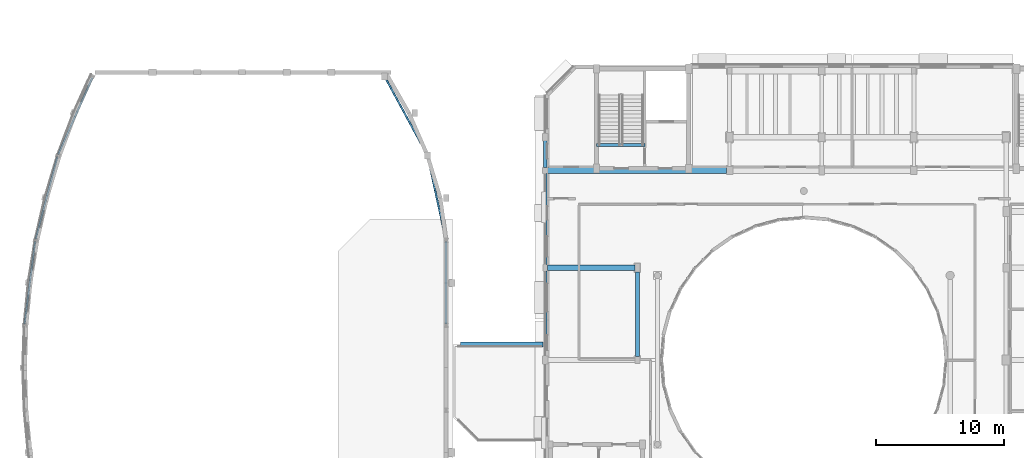
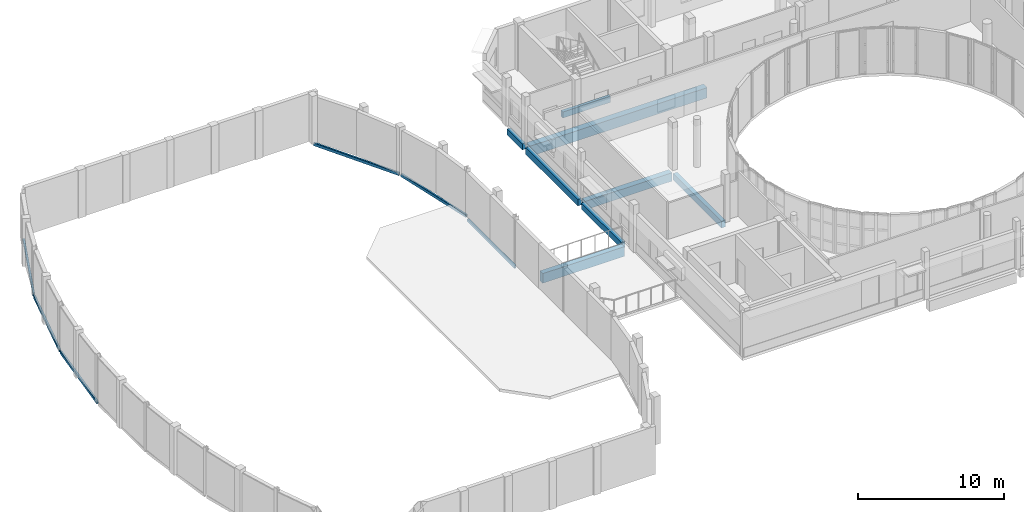
# One storey, part 18 of 89: 14 beams.
"""IFC4 building model written with IfcOpenShell, lengths in metres."""

from ifc_helpers import new_model, si_unit, direction, frame, origin, origin_2d, place, context, subcontext, project, spatial, rectangle, hollow_rectangle, extrude, material, material_profile, profile_set, type_object, element, save


model = new_model("IFC4")

# Units and contexts
model_context = context("Model", 3, precision=1e-05, world=origin(), true_north=direction((0.0, 1.0)))
body_context = subcontext(model_context, "Body", "Model", "MODEL_VIEW")
ifc_project = project(units=[si_unit("LENGTHUNIT", "METRE"), si_unit("AREAUNIT", "SQUARE_METRE"), si_unit("VOLUMEUNIT", "CUBIC_METRE"), si_unit("PLANEANGLEUNIT", "RADIAN"), si_unit("MASSUNIT", "GRAM", prefix="KILO")], contexts=[model_context])

# Site, building, storey
site_placement = place(None, origin())
site = spatial("IfcSite", under=ifc_project, at=site_placement, CompositionType="ELEMENT")
building_placement = place(site_placement, origin())
building = spatial("IfcBuilding", under=site, at=building_placement, Name="Kelanivale Promenade Academy", CompositionType="ELEMENT")
storey_placement = place(building_placement, frame((0.0, 0.0, 12.199951171875)))
storey = spatial("IfcBuildingStorey", under=building, at=storey_placement, Name="L03", CompositionType="ELEMENT", Elevation=12.199951171875)

# Beams
ifc_material_1 = material(Name="Concrete C35/45", Category="concrete")
ifc_material_profile_1 = material_profile(ifc_material_1, rectangle(XDim=0.449951171875, YDim=0.699951171875, at=origin_2d()), Name="RC-BM 450x700")
ifc_profile_set_1 = profile_set([ifc_material_profile_1], Name="Concrete C35/45")
beam_type_1 = type_object("IfcBeamType", Name="BM-03 RC-BM 450x700", PredefinedType="BEAM", material=ifc_profile_set_1)
beam_1_placement = place(storey_placement, frame((43.3701171875, 64.0, -0.570068359375), z_axis=(1.0, 0.0, 0.0), x_axis=(0.0, 1.0, 0.0)))
element("IfcBeam", 1, at=beam_1_placement, inside=storey, type_object=beam_type_1, Name="L03 girder BM-03", PredefinedType="BEAM", context=body_context, shape_type="SweptSolid", body=[
    extrude(rectangle(XDim=0.449951171875, YDim=0.699951171875, at=origin_2d()), origin(), (0.0, 0.0, 1.0), 6.8349609375),
])
ifc_material_profile_2 = material_profile(ifc_material_1, rectangle(XDim=0.5, YDim=0.85009765625, at=origin_2d()), Name="RC-BM 500x850")
ifc_profile_set_2 = profile_set([ifc_material_profile_2], Name="Concrete C35/45")
beam_type_2 = type_object("IfcBeamType", Name="BM-07 RC-BM 500x850", PredefinedType="BEAM", material=ifc_profile_set_2)
beam_2_placement = place(storey_placement, frame((43.39501953125, 71.60009765625, -0.64501953125), z_axis=(1.0, 0.0, 0.0), x_axis=(0.0, 1.0, 0.0)))
element("IfcBeam", 2, at=beam_2_placement, inside=storey, type_object=beam_type_2, Name="L03 girder BM-07", PredefinedType="BEAM", context=body_context, shape_type="SweptSolid", body=[
    extrude(rectangle(XDim=0.5, YDim=0.85009765625, at=origin_2d()), origin(), (0.0, 0.0, 1.0), 13.9599609375),
])
ifc_material_profile_3 = material_profile(ifc_material_1, rectangle(XDim=0.39990234375, YDim=0.800048828125, at=origin_2d()), Name="RC-BM 400x800")
ifc_profile_set_3 = profile_set([ifc_material_profile_3], Name="Concrete C35/45")
beam_type_3 = type_object("IfcBeamType", Name="BM-14 RC-BM 400x800", PredefinedType="BEAM", material=ifc_profile_set_3)
beam_3_placement = place(storey_placement, frame((36.572021484375, 58.0, -0.635009765625), z_axis=(1.0, 0.0, 0.0), x_axis=(0.0, 1.0, 0.0)))
element("IfcBeam", 3, at=beam_3_placement, inside=storey, type_object=beam_type_3, Name="L03 girder BM-14", PredefinedType="BEAM", context=body_context, shape_type="SweptSolid", body=[
    extrude(rectangle(XDim=0.39990234375, YDim=0.800048828125, at=origin_2d()), origin(), (0.0, 0.0, 1.0), 6.432861328125),
])
ifc_material_profile_4 = material_profile(ifc_material_1, rectangle(XDim=0.300048828125, YDim=0.5, at=origin_2d()), Name="RC-BM 300x500")
ifc_profile_set_4 = profile_set([ifc_material_profile_4], Name="Concrete C35/45")
beam_type_4 = type_object("IfcBeamType", Name="JS-01 RC-BM 300x500", PredefinedType="JOIST", material=ifc_profile_set_4)
beam_4_placement = place(storey_placement, frame((43.199951171875, 58.320068359375, -0.469970703125), z_axis=(0.0, 1.0, 0.0), x_axis=(-1.0, 0.0, 0.0)))
element("IfcBeam", 4, at=beam_4_placement, inside=storey, type_object=beam_type_4, Name="L03 beam JS-01", PredefinedType="JOIST", context=body_context, shape_type="SweptSolid", body=[
    extrude(rectangle(XDim=0.300048828125, YDim=0.5, at=origin_2d()), origin(), (0.0, 0.0, 1.0), 5.434814453125),
])
ifc_material_profile_5 = material_profile(ifc_material_1, rectangle(XDim=0.300048828125, YDim=0.550048828125, at=origin_2d()), Name="RC-BM 300x550")
ifc_profile_set_5 = profile_set([ifc_material_profile_5], Name="Concrete C35/45")
beam_type_5 = type_object("IfcBeamType", Name="JS-02 RC-BM 300x550", PredefinedType="JOIST", material=ifc_profile_set_5)
beam_5_placement = place(storey_placement, frame((43.199951171875, 64.2451171875, -0.494873046875), z_axis=(0.0, 1.0, 0.0), x_axis=(-1.0, 0.0, 0.0)))
element("IfcBeam", 5, at=beam_5_placement, inside=storey, type_object=beam_type_5, Name="L03 beam JS-02", PredefinedType="JOIST", context=body_context, shape_type="SweptSolid", body=[
    extrude(rectangle(XDim=0.300048828125, YDim=0.550048828125, at=origin_2d()), origin(), (0.0, 0.0, 1.0), 7.10986328125),
])
ifc_material_profile_6 = material_profile(ifc_material_1, rectangle(XDim=0.320068359375, YDim=0.550048828125, at=origin_2d()), Name="RC-BM 320x550")
ifc_profile_set_6 = profile_set([ifc_material_profile_6], Name="Concrete C35/45")
beam_type_6 = type_object("IfcBeamType", Name="JS-04 RC-BM 320x550", PredefinedType="JOIST", material=ifc_profile_set_6)
beam_6_placement = place(storey_placement, frame((50.39990234375, 57.070068359375, -0.494873046875), z_axis=(0.0, 1.0, 0.0), x_axis=(-1.0, 0.0, 0.0)))
element("IfcBeam", 6, at=beam_6_placement, inside=storey, type_object=beam_type_6, Name="L03 beam JS-04", PredefinedType="JOIST", context=body_context, shape_type="SweptSolid", body=[
    extrude(rectangle(XDim=0.320068359375, YDim=0.550048828125, at=origin_2d()), origin(), (0.0, 0.0, 1.0), 6.60986328125),
])
ifc_material_profile_7 = material_profile(ifc_material_1, rectangle(XDim=0.25, YDim=0.5, at=origin_2d()), Name="RC-BM 250x500")
ifc_profile_set_7 = profile_set([ifc_material_profile_7], Name="Concrete C35/45")
beam_type_7 = type_object("IfcBeamType", Name="LN-02 RC-BM 250x500", PredefinedType="LINTEL", material=ifc_profile_set_7)
beam_7_placement = place(storey_placement, frame((43.199951171875, 71.844970703125, -0.469970703125), z_axis=(0.0, 1.0, 0.0), x_axis=(-1.0, 0.0, 0.0)))
element("IfcBeam", 7, at=beam_7_placement, inside=storey, type_object=beam_type_7, Name="L03 beam LN-02", PredefinedType="LINTEL", context=body_context, shape_type="SweptSolid", body=[
    extrude(rectangle(XDim=0.25, YDim=0.5, at=origin_2d()), origin(), (0.0, 0.0, 1.0), 2.0849609375),
])
beam_8_placement = place(storey_placement, frame((47.199951171875, 73.60498046875, -0.25), z_axis=(1.0, 0.0, 0.0), x_axis=(0.0, 1.0, 0.0)))
element("IfcBeam", 8, at=beam_8_placement, inside=storey, type_object=beam_type_7, Name="CORE-4 stair arrival trimmer beam L03", PredefinedType="LINTEL", context=body_context, shape_type="SweptSolid", body=[
    extrude(rectangle(XDim=0.25, YDim=0.5, at=origin_2d()), origin(), (0.0, 0.0, 1.0), 3.775146484375),
])
ifc_material_2 = material(Name="Steel S355", Category="steel")
ifc_material_profile_8 = material_profile(ifc_material_2, hollow_rectangle(XDim=0.14990234375, YDim=0.25, WallThickness=0.010009765625, InnerFilletRadius=0.010009765625, OuterFilletRadius=0.02001953125, at=origin_2d()), Name="RHS 250x150x10.0")
ifc_profile_set_8 = profile_set([ifc_material_profile_8], Name="Steel S355")
beam_type_8 = type_object("IfcBeamType", Name="SB-13 RHS 250x150x10.0", PredefinedType="SPANDREL", material=ifc_profile_set_8)
beam_9_placement = place(storey_placement, frame((2.51904296875, 59.613037109375, -0.125), z_axis=(0.127532854927, 0.991834346509, 0.0), x_axis=(-0.991834346509, 0.127532854927, 0.0)))
element("IfcBeam", 9, at=beam_9_placement, inside=storey, type_object=beam_type_8, Name="Sports Hall Crescent Pavilion curved ring beam SB-13", PredefinedType="SPANDREL", context=body_context, shape_type="SweptSolid", body=[
    extrude(hollow_rectangle(XDim=0.14990234375, YDim=0.25, WallThickness=0.010009765625, InnerFilletRadius=0.010009765625, OuterFilletRadius=0.02001953125, at=origin_2d()), origin(), (0.0, 0.0, 1.0), 6.48388671875),
])
beam_10_placement = place(storey_placement, frame((35.449951171875, 59.614013671875, -0.364990234375), z_axis=(0.0, 1.0, 0.0), x_axis=(-1.0, 0.0, 0.0)))
element("IfcBeam", 10, at=beam_10_placement, inside=storey, type_object=beam_type_8, Name="Sports Hall Crescent Pavilion inner kidney ring beam SB-13", PredefinedType="SPANDREL", context=body_context, shape_type="SweptSolid", body=[
    extrude(hollow_rectangle(XDim=0.14990234375, YDim=0.25, WallThickness=0.010009765625, InnerFilletRadius=0.010009765625, OuterFilletRadius=0.02001953125, at=origin_2d()), origin(), (0.0, 0.0, 1.0), 6.428955078125),
])
beam_11_placement = place(storey_placement, frame((3.385009765625, 66.239990234375, -0.125), z_axis=(0.255444826884, 0.966823634598, 0.0), x_axis=(-0.966823634598, 0.255444826884, 0.0)))
element("IfcBeam", 11, at=beam_11_placement, inside=storey, type_object=beam_type_8, Name="Sports Hall Crescent Pavilion curved ring beam SB-13", PredefinedType="SPANDREL", context=body_context, shape_type="SweptSolid", body=[
    extrude(hollow_rectangle(XDim=0.14990234375, YDim=0.25, WallThickness=0.010009765625, InnerFilletRadius=0.010009765625, OuterFilletRadius=0.02001953125, at=origin_2d()), origin(), (0.0, 0.0, 1.0), 6.65478515625),
])
beam_12_placement = place(storey_placement, frame((35.428955078125, 66.240966796875, -0.125), z_axis=(-0.213831783118, 0.976870497317, 0.0), x_axis=(-0.976870497317, -0.213831783118, 0.0)))
element("IfcBeam", 12, at=beam_12_placement, inside=storey, type_object=beam_type_8, Name="Sports Hall Crescent Pavilion inner kidney ring beam SB-13", PredefinedType="SPANDREL", context=body_context, shape_type="SweptSolid", body=[
    extrude(hollow_rectangle(XDim=0.14990234375, YDim=0.25, WallThickness=0.010009765625, InnerFilletRadius=0.010009765625, OuterFilletRadius=0.02001953125, at=origin_2d()), origin(), (0.0, 0.0, 1.0), 6.58447265625),
])
beam_13_placement = place(storey_placement, frame((5.152099609375, 72.862060546875, -0.125), z_axis=(0.40660775048, 0.913602833429, 0.0), x_axis=(-0.913602833429, 0.40660775048, 0.0)))
element("IfcBeam", 13, at=beam_13_placement, inside=storey, type_object=beam_type_8, Name="Sports Hall Crescent Pavilion curved ring beam SB-13", PredefinedType="SPANDREL", context=body_context, shape_type="SweptSolid", body=[
    extrude(hollow_rectangle(XDim=0.14990234375, YDim=0.25, WallThickness=0.010009765625, InnerFilletRadius=0.010009765625, OuterFilletRadius=0.02001953125, at=origin_2d()), origin(), (0.0, 0.0, 1.0), 6.56396484375),
])
beam_14_placement = place(storey_placement, frame((33.951904296875, 72.85888671875, -0.125), z_axis=(-0.476530768852, 0.879157793765, 0.0), x_axis=(-0.879157793765, -0.476530768852, 0.0)))
element("IfcBeam", 14, at=beam_14_placement, inside=storey, type_object=beam_type_8, Name="Sports Hall Crescent Pavilion inner kidney ring beam SB-13", PredefinedType="SPANDREL", context=body_context, shape_type="SweptSolid", body=[
    extrude(hollow_rectangle(XDim=0.14990234375, YDim=0.25, WallThickness=0.010009765625, InnerFilletRadius=0.010009765625, OuterFilletRadius=0.02001953125, at=origin_2d()), origin(), (0.0, 0.0, 1.0), 6.828369140625),
])

save(model, "model.ifc")
